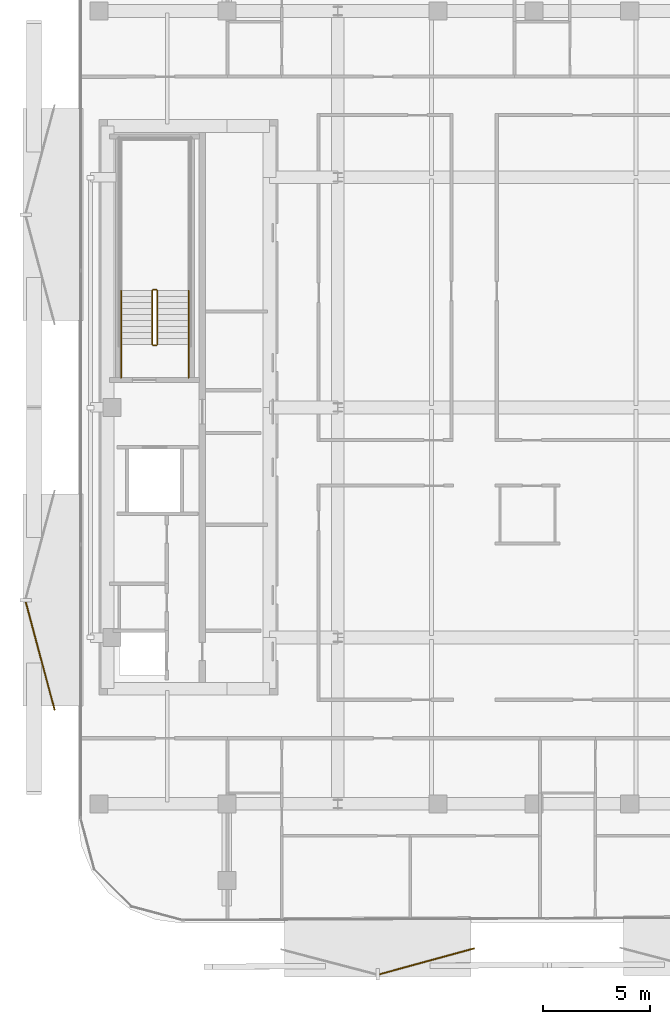
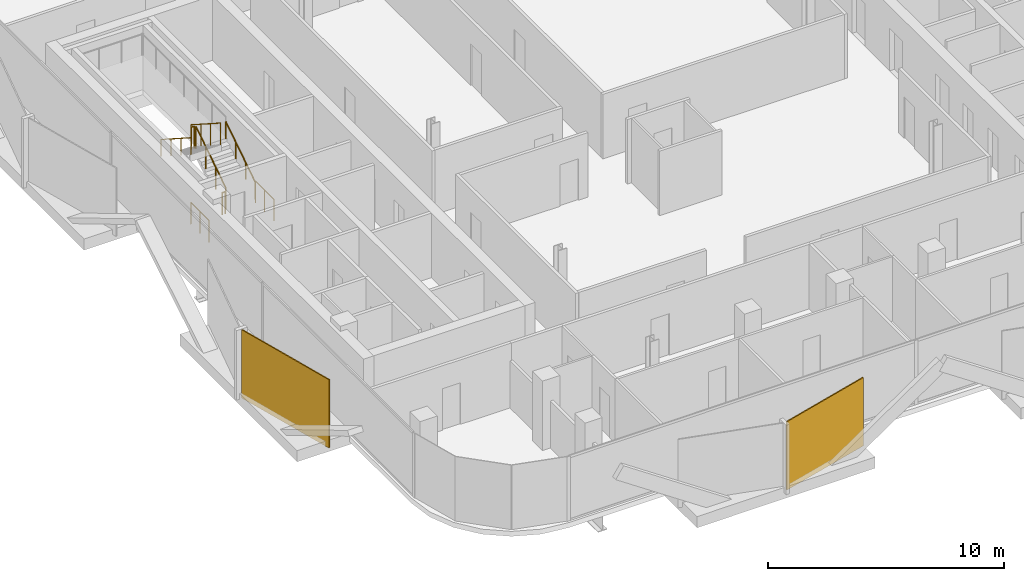
# One storey, part 13 of 15: 8 railings, 2 coverings.
"""IFC4 building model written with IfcOpenShell, lengths in metres."""

from ifc_helpers import new_model, si_unit, direction, frame, origin, origin_2d, place, context, subcontext, project, spatial, rectangle, circle, extrude, material, layer, layer_set, type_object, element, save


model = new_model("IFC4")

# Units and contexts
model_context = context("Model", 3, precision=1e-05, world=origin(), true_north=direction((0.0, 1.0)))
body_context = subcontext(model_context, "Body", "Model", "MODEL_VIEW")
ifc_project = project(units=[si_unit("LENGTHUNIT", "METRE"), si_unit("AREAUNIT", "SQUARE_METRE"), si_unit("VOLUMEUNIT", "CUBIC_METRE"), si_unit("PLANEANGLEUNIT", "RADIAN"), si_unit("MASSUNIT", "GRAM", prefix="KILO")], contexts=[model_context])

# Site, building, storey
site_placement = place(None, origin())
site = spatial("IfcSite", under=ifc_project, at=site_placement, CompositionType="ELEMENT")
building_placement = place(site_placement, origin())
building = spatial("IfcBuilding", under=site, at=building_placement, Name="Khairoan Windgate Tower", CompositionType="ELEMENT")
storey_placement = place(building_placement, frame((0.0, 0.0, 262.0)))
storey = spatial("IfcBuildingStorey", under=building, at=storey_placement, Name="L62", CompositionType="ELEMENT", Elevation=262.0)

# Coverings
ifc_material_1 = material(Name="Anodised Bronze Aluminium 6063-T6", Category="aluminium")
ifc_layer = layer(ifc_material_1, 0.054931640625, Name="Anodised Bronze Aluminium 6063-T6")
ifc_layer_set = layer_set([ifc_layer], Name="Anodised Bronze Aluminium 6063-T6")
covering_type = type_object("IfcCoveringType", Name="Perforated Bronze-Ceramic Folded Solar Screen Cladding BSC-1", PredefinedType="CLADDING", material=ifc_layer_set)
covering_1_placement = place(storey_placement, frame((-5.00732421875, -25.988037109375, -0.10009765625), z_axis=(0.0, 0.0, 1.0), x_axis=(-0.964695449838, -0.263367972734, 0.0)))
element("IfcCovering", 1, at=covering_1_placement, inside=storey, type_object=covering_type, Name="L62 Folded Bronze Solar Screen Facet 426L", PredefinedType="CLADDING", context=body_context, shape_type="SweptSolid", body=[
    extrude(rectangle(XDim=4.614013671875, YDim=0.054931640625, at=origin_2d()), origin(), (0.0, 0.0, 1.0), 3.5400390625),
])
covering_2_placement = place(storey_placement, frame((-23.1611328125, -11.6689453125, -0.10009765625), z_axis=(0.0, 0.0, 1.0), x_axis=(-0.258819045103, 0.965925826289, 0.0)))
element("IfcCovering", 2, at=covering_2_placement, inside=storey, type_object=covering_type, Name="L62 Folded Bronze Solar Screen Facet 427L", PredefinedType="CLADDING", context=body_context, shape_type="SweptSolid", body=[
    extrude(rectangle(XDim=5.24609375, YDim=0.054931640625, at=origin_2d()), origin(), (0.0, 0.0, 1.0), 3.5400390625),
])

# Railings
ifc_material_2 = material(Name="Anodised Bronze Aluminium 6063-T6", Category="aluminium")
railing_type_1 = type_object("IfcRailingType", Name="Stair Wall Handrail SHR-900", PredefinedType="HANDRAIL", material=ifc_material_2)
railing_1_placement = place(storey_placement, frame((-16.199951171875, 2.9599609375, 0.179931640625)))
element("IfcRailing", 3, at=railing_1_placement, inside=storey, type_object=railing_type_1, Name="L62 ST2 stair handrail 1", PredefinedType="HANDRAIL", context=body_context, shape_type="SweptSolid", body=[
    extrude(circle(Radius=0.02392578125, at=origin_2d()), frame((0.0, 0.0, 0.8759765625), z_axis=(0.0, 0.841162588446, 0.540782303519), x_axis=(-1.0, 0.0, 0.0)), (0.0, 0.0, 1.0), 2.995849609375),
    extrude(circle(Radius=0.02099609375, at=origin_2d()), origin(), (0.0, 0.0, 1.0), 0.851806640625),
    extrude(circle(Radius=0.02099609375, at=origin_2d()), frame((0.0, 0.840087890625, 0.5400390625)), (0.0, 0.0, 1.0), 0.851806640625),
    extrude(circle(Radius=0.02099609375, at=origin_2d()), frame((0.0, 1.679931640625, 1.080078125)), (0.0, 0.0, 1.0), 0.851806640625),
    extrude(circle(Radius=0.02099609375, at=origin_2d()), frame((0.0, 2.52001953125, 1.6201171875)), (0.0, 0.0, 1.0), 0.851806640625),
])
railing_2_placement = place(storey_placement, frame((-19.3701171875, 5.47998046875, 1.97998046875)))
element("IfcRailing", 4, at=railing_2_placement, inside=storey, type_object=railing_type_1, Name="L62 ST2 stair handrail 2", PredefinedType="HANDRAIL", context=body_context, shape_type="SweptSolid", body=[
    extrude(circle(Radius=0.02392578125, at=origin_2d()), frame((0.0, 0.0, 0.8759765625), z_axis=(0.0, -0.841162588446, 0.540782303519), x_axis=(1.0, 0.0, 0.0)), (0.0, 0.0, 1.0), 2.995849609375),
    extrude(circle(Radius=0.02099609375, at=origin_2d()), origin(), (0.0, 0.0, 1.0), 0.851806640625),
    extrude(circle(Radius=0.02099609375, at=origin_2d()), frame((0.0, -0.840087890625, 0.5400390625)), (0.0, 0.0, 1.0), 0.851806640625),
    extrude(circle(Radius=0.02099609375, at=origin_2d()), frame((0.0, -1.679931640625, 1.080078125)), (0.0, 0.0, 1.0), 0.851806640625),
    extrude(circle(Radius=0.02099609375, at=origin_2d()), frame((0.0, -2.52001953125, 1.6201171875)), (0.0, 0.0, 1.0), 0.851806640625),
])
ifc_material_3 = material(Name="Steel S355", Category="steel")
railing_type_2 = type_object("IfcRailingType", Name="Stairwell Safety Guardrail SGR-1150", PredefinedType="GUARDRAIL", material=ifc_material_3)
railing_3_placement = place(storey_placement, frame((-17.659912109375, 2.9599609375, 0.179931640625)))
element("IfcRailing", 5, at=railing_3_placement, inside=storey, type_object=railing_type_2, Name="L62 ST2 stair guard 1", PredefinedType="GUARDRAIL", context=body_context, shape_type="SweptSolid", body=[
    extrude(circle(Radius=0.02392578125, at=origin_2d()), frame((0.0, 0.0, 1.1259765625), z_axis=(0.0, 0.841162588446, 0.540782303519), x_axis=(-1.0, 0.0, 0.0)), (0.0, 0.0, 1.0), 2.995849609375),
    extrude(circle(Radius=0.02099609375, at=origin_2d()), origin(), (0.0, 0.0, 1.0), 1.101806640625),
    extrude(circle(Radius=0.02099609375, at=origin_2d()), frame((0.0, 0.840087890625, 0.5400390625)), (0.0, 0.0, 1.0), 1.101806640625),
    extrude(circle(Radius=0.02099609375, at=origin_2d()), frame((0.0, 1.679931640625, 1.080078125)), (0.0, 0.0, 1.0), 1.101806640625),
    extrude(circle(Radius=0.02099609375, at=origin_2d()), frame((0.0, 2.52001953125, 1.6201171875)), (0.0, 0.0, 1.0), 1.101806640625),
])
railing_4_placement = place(storey_placement, frame((-17.7099609375, 5.530029296875, 1.800048828125)))
element("IfcRailing", 6, at=railing_4_placement, inside=storey, type_object=railing_type_2, Name="L62 ST2 stair guard 2", PredefinedType="GUARDRAIL", context=body_context, shape_type="SweptSolid", body=[
    extrude(circle(Radius=0.02392578125, at=origin_2d()), frame((0.0, 0.0, 1.1259765625), z_axis=(-1.0, 0.0, 0.0), x_axis=(0.0, -1.0, 0.0)), (0.0, 0.0, 1.0), 0.150146484375),
    extrude(circle(Radius=0.02099609375, at=origin_2d()), origin(), (0.0, 0.0, 1.0), 1.101806640625),
    extrude(circle(Radius=0.02099609375, at=origin_2d()), frame((-0.150146484375, 0.0, 0.0)), (0.0, 0.0, 1.0), 1.101806640625),
])
railing_5_placement = place(storey_placement, frame((-17.909912109375, 5.47998046875, 1.97998046875)))
element("IfcRailing", 7, at=railing_5_placement, inside=storey, type_object=railing_type_2, Name="L62 ST2 stair guard 6", PredefinedType="GUARDRAIL", context=body_context, shape_type="SweptSolid", body=[
    extrude(circle(Radius=0.02392578125, at=origin_2d()), frame((0.0, 0.0, 1.1259765625), z_axis=(0.0, -0.841162588446, 0.540782303519), x_axis=(1.0, 0.0, 0.0)), (0.0, 0.0, 1.0), 2.995849609375),
    extrude(circle(Radius=0.02099609375, at=origin_2d()), origin(), (0.0, 0.0, 1.0), 1.101806640625),
    extrude(circle(Radius=0.02099609375, at=origin_2d()), frame((0.0, -0.840087890625, 0.5400390625)), (0.0, 0.0, 1.0), 1.101806640625),
    extrude(circle(Radius=0.02099609375, at=origin_2d()), frame((0.0, -1.679931640625, 1.080078125)), (0.0, 0.0, 1.0), 1.101806640625),
    extrude(circle(Radius=0.02099609375, at=origin_2d()), frame((0.0, -2.52001953125, 1.6201171875)), (0.0, 0.0, 1.0), 1.101806640625),
])
railing_6_placement = place(storey_placement, frame((-17.7099609375, 2.909912109375, 0.0)))
element("IfcRailing", 8, at=railing_6_placement, inside=storey, type_object=railing_type_2, Name="L62 ST2 stair guard 7", PredefinedType="GUARDRAIL", context=body_context, shape_type="SweptSolid", body=[
    extrude(circle(Radius=0.02392578125, at=origin_2d()), frame((0.0, 0.0, 1.1259765625), z_axis=(-1.0, 0.0, 0.0), x_axis=(0.0, -1.0, 0.0)), (0.0, 0.0, 1.0), 0.150146484375),
    extrude(circle(Radius=0.02099609375, at=origin_2d()), origin(), (0.0, 0.0, 1.0), 1.101806640625),
    extrude(circle(Radius=0.02099609375, at=origin_2d()), frame((-0.150146484375, 0.0, 0.0)), (0.0, 0.0, 1.0), 1.101806640625),
])
for number, where, name in (
    (9, (-16.199951171875, 1.39990234375, 0.0), "L62 ST2 stair guard 8"),
    (10, (-19.3701171875, 1.39990234375, 0.0), "L62 ST2 stair guard 9"),
):
    element("IfcRailing", number, at=place(storey_placement, frame(where)), inside=storey, type_object=railing_type_2, Name=name, PredefinedType="GUARDRAIL", context=body_context, shape_type="SweptSolid", body=[
        extrude(circle(Radius=0.02392578125, at=origin_2d()), frame((0.0, 0.0, 1.1259765625), z_axis=(0.0, 1.0, 0.0), x_axis=(-1.0, 0.0, 0.0)), (0.0, 0.0, 1.0), 1.56005859375),
        extrude(circle(Radius=0.02099609375, at=origin_2d()), origin(), (0.0, 0.0, 1.0), 1.101806640625),
        extrude(circle(Radius=0.02099609375, at=origin_2d()), frame((0.0, 0.780029296875, 0.0)), (0.0, 0.0, 1.0), 1.101806640625),
        extrude(circle(Radius=0.02099609375, at=origin_2d()), frame((0.0, 1.56005859375, 0.0)), (0.0, 0.0, 1.0), 1.101806640625),
    ])

save(model, "model.ifc")
